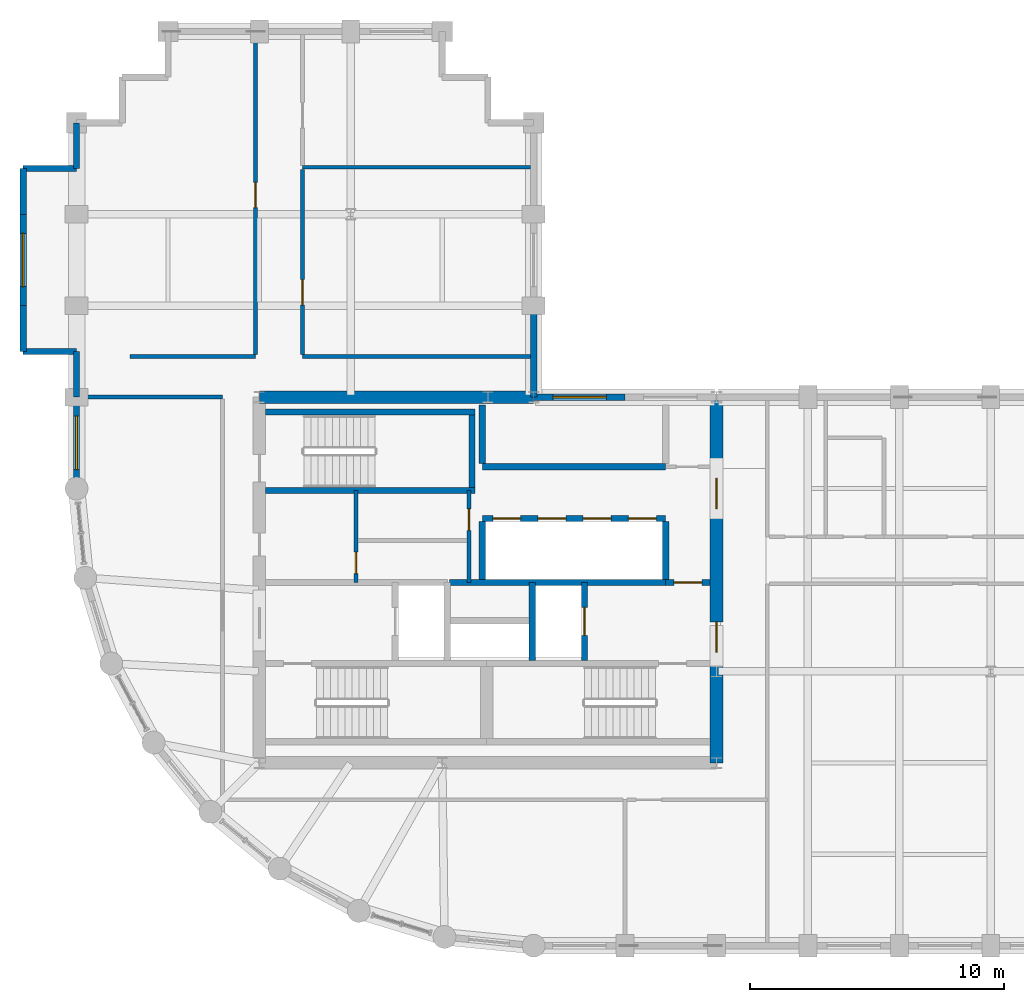
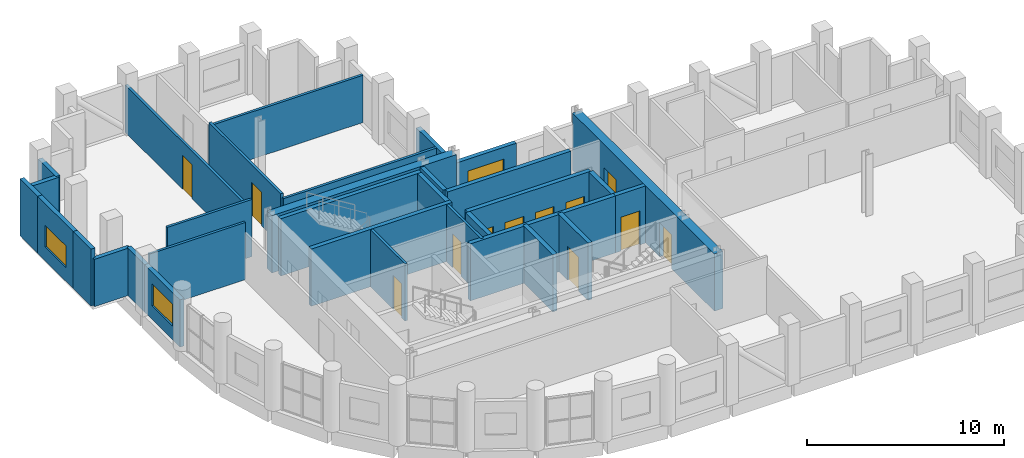
# One storey, part 9 of 12: 32 walls, 12 doors, 3 windows, 15 openings.
"""IFC4 building model written with IfcOpenShell, lengths in metres."""

from ifc_helpers import new_model, si_unit, direction, frame, frame_2d, origin, place, context, subcontext, project, spatial, rectangle, extrude, material, layer, layer_set, type_object, element, fill, save


model = new_model("IFC4")

# Units and contexts
model_context = context("Model", 3, precision=1e-05, world=origin(), true_north=direction((0.0, 1.0)))
body_context = subcontext(model_context, "Body", "Model", "MODEL_VIEW")
ifc_project = project(units=[si_unit("LENGTHUNIT", "METRE"), si_unit("AREAUNIT", "SQUARE_METRE"), si_unit("VOLUMEUNIT", "CUBIC_METRE"), si_unit("PLANEANGLEUNIT", "RADIAN"), si_unit("MASSUNIT", "GRAM", prefix="KILO")], contexts=[model_context])

# Site, building, storey
site_placement = place(None, origin())
site = spatial("IfcSite", under=ifc_project, at=site_placement, CompositionType="ELEMENT")
building_placement = place(site_placement, origin())
building = spatial("IfcBuilding", under=site, at=building_placement, Name="Solnavia Interchange Tower", CompositionType="ELEMENT")
storey_placement = place(building_placement, frame((0.0, 0.0, 193.800048828125)))
storey = spatial("IfcBuildingStorey", under=building, at=storey_placement, Name="L48", CompositionType="ELEMENT", Elevation=193.800048828125)

# Wall, opening, window
ifc_material_1 = material(Name="Concrete C40/50", Category="concrete")
ifc_layer_1 = layer(ifc_material_1, 0.25)
ifc_layer_set_1 = layer_set([ifc_layer_1], Name="Concrete C40/50")
wall_type_1 = type_object("IfcWallType", Name="Wall-ExtSpandrel-250", PredefinedType="STANDARD", material=ifc_layer_set_1)
wall_1_placement = place(storey_placement, frame((25.199951171875, 25.199951171875, 0.0), z_axis=(0.0, 0.0, 1.0), x_axis=(1.0, 0.0, 0.0)))
wall_1 = element("IfcWall", 1, at=wall_1_placement, inside=storey, type_object=wall_type_1, Name="EXW-L48-24 Exterior precast spandrel wall", PredefinedType="STANDARD", context=body_context, shape_type="SweptSolid", body=[
    extrude(rectangle(XDim=3.60009765625, YDim=0.25, at=frame_2d((1.800048828125, 0.0))), origin(), (0.0, 0.0, 1.0), 2.929931640625),
])
opening_1_placement = place(wall_1_placement, frame((0.76611328125, 0.0, 0.85009765625)))
opening_1 = element("IfcOpeningElement", 2, at=opening_1_placement, cuts=wall_1, Name="Opening WIN-01", PredefinedType="OPENING", context=body_context, shape_type="SweptSolid", body=[
    extrude(rectangle(XDim=2.10009765625, YDim=1.35009765625, at=frame_2d((1.050048828125, 0.675048828125))), frame((0.0, 0.135009765625, 0.0), z_axis=(0.0, -1.0, 0.0), x_axis=(1.0, 0.0, 0.0)), (0.0, 0.0, 1.0), 0.27001953125),
])
ifc_material_2 = material(Name="Thermal-Break Aluminium & Low-E Glass", Category="aluminium")
window_type = type_object("IfcWindowType", Name="Window-Ribbon-2100x1350", PartitioningType="SINGLE_PANEL", PredefinedType="WINDOW", material=ifc_material_2)
window_1_placement = place(opening_1_placement, origin())
window_1 = element("IfcWindow", 3, at=window_1_placement, inside=storey, type_object=window_type, Name="WIN-L48-24 Facade ribbon window", OverallHeight=1.35009765625, OverallWidth=2.10009765625, PartitioningType="SINGLE_PANEL", PredefinedType="WINDOW", context=body_context, shape_type="SweptSolid", body=[
    extrude(rectangle(XDim=2.10009765625, YDim=1.35009765625, at=frame_2d((1.050048828125, 0.675048828125))), frame((0.0, 0.030029296875, 0.0), z_axis=(0.0, -1.0, 0.0), x_axis=(1.0, 0.0, 0.0)), (0.0, 0.0, 1.0), 0.06005859375),
])
fill(opening_1, window_1)

# Walls
wall_2_placement = place(storey_placement, frame((25.199951171875, 25.199951171875, 0.0), z_axis=(0.0, 0.0, 1.0), x_axis=(0.0, 1.0, 0.0)))
element("IfcWall", 4, at=wall_2_placement, inside=storey, type_object=wall_type_1, Name="EXW-L48-25 Exterior precast spandrel wall", PredefinedType="STANDARD", context=body_context, shape_type="SweptSolid", body=[
    extrude(rectangle(XDim=3.60009765625, YDim=0.25, at=frame_2d((1.800048828125, 0.0))), origin(), (0.0, 0.0, 1.0), 2.929931640625),
])
wall_3_placement = place(storey_placement, frame((7.199951171875, 34.199951171875, 0.0), z_axis=(0.0, 0.0, 1.0), x_axis=(0.0, 1.0, 0.0)))
element("IfcWall", 5, at=wall_3_placement, inside=storey, type_object=wall_type_1, Name="EXW-L48-39 Exterior precast spandrel wall", PredefinedType="STANDARD", context=body_context, shape_type="SweptSolid", body=[
    extrude(rectangle(XDim=1.800048828125, YDim=0.25, at=frame_2d((0.89990234375, 0.0))), origin(), (0.0, 0.0, 1.0), 2.929931640625),
])
wall_4_placement = place(storey_placement, frame((5.10009765625, 34.199951171875, 0.0), z_axis=(0.0, 0.0, 1.0), x_axis=(1.0, 0.0, 0.0)))
element("IfcWall", 6, at=wall_4_placement, inside=storey, type_object=wall_type_1, Name="EXW-L48-40 Exterior precast spandrel wall", PredefinedType="STANDARD", context=body_context, shape_type="SweptSolid", body=[
    extrude(rectangle(XDim=2.099853515625, YDim=0.25, at=frame_2d((1.0498046875, 0.0))), origin(), (0.0, 0.0, 1.0), 2.929931640625),
])
wall_5_placement = place(storey_placement, frame((5.10009765625, 32.39990234375, 0.0), z_axis=(0.0, 0.0, 1.0), x_axis=(0.0, 1.0, 0.0)))
element("IfcWall", 7, at=wall_5_placement, inside=storey, type_object=wall_type_1, Name="EXW-L48-41 Exterior precast spandrel wall", PredefinedType="STANDARD", context=body_context, shape_type="SweptSolid", body=[
    extrude(rectangle(XDim=1.800048828125, YDim=0.25, at=frame_2d((0.89990234375, 0.0))), origin(), (0.0, 0.0, 1.0), 3.534912109375),
])

# Wall, opening, window
wall_6_placement = place(storey_placement, frame((5.10009765625, 28.800048828125, 0.0), z_axis=(0.0, 0.0, 1.0), x_axis=(0.0, 1.0, 0.0)))
wall_6 = element("IfcWall", 8, at=wall_6_placement, inside=storey, type_object=wall_type_1, Name="EXW-L48-42 Exterior precast spandrel wall", PredefinedType="STANDARD", context=body_context, shape_type="SweptSolid", body=[
    extrude(rectangle(XDim=3.599853515625, YDim=0.25, at=frame_2d((1.7998046875, 0.0))), origin(), (0.0, 0.0, 1.0), 3.534912109375),
])
opening_2_placement = place(wall_6_placement, frame((0.75, 0.0, 0.85009765625)))
opening_2 = element("IfcOpeningElement", 9, at=opening_2_placement, cuts=wall_6, Name="Opening WIN-01", PredefinedType="OPENING", context=body_context, shape_type="SweptSolid", body=[
    extrude(rectangle(XDim=2.10009765625, YDim=1.35009765625, at=frame_2d((1.050048828125, 0.675048828125))), frame((0.0, 0.135009765625, 0.0), z_axis=(0.0, -1.0, 0.0), x_axis=(1.0, 0.0, 0.0)), (0.0, 0.0, 1.0), 0.27001953125),
])
window_2_placement = place(opening_2_placement, origin())
window_2 = element("IfcWindow", 10, at=window_2_placement, inside=storey, type_object=window_type, Name="WIN-L48-42 Facade ribbon window", OverallHeight=1.35009765625, OverallWidth=2.10009765625, PartitioningType="SINGLE_PANEL", PredefinedType="WINDOW", context=body_context, shape_type="SweptSolid", body=[
    extrude(rectangle(XDim=2.10009765625, YDim=1.35009765625, at=frame_2d((1.050048828125, 0.675048828125))), frame((0.0, 0.030029296875, 0.0), z_axis=(0.0, -1.0, 0.0), x_axis=(1.0, 0.0, 0.0)), (0.0, 0.0, 1.0), 0.06005859375),
])
fill(opening_2, window_2)

# Walls
wall_7_placement = place(storey_placement, frame((5.10009765625, 27.0, 0.0), z_axis=(0.0, 0.0, 1.0), x_axis=(0.0, 1.0, 0.0)))
element("IfcWall", 11, at=wall_7_placement, inside=storey, type_object=wall_type_1, Name="EXW-L48-43 Exterior precast spandrel wall", PredefinedType="STANDARD", context=body_context, shape_type="SweptSolid", body=[
    extrude(rectangle(XDim=1.800048828125, YDim=0.25, at=frame_2d((0.89990234375, 0.0))), origin(), (0.0, 0.0, 1.0), 3.534912109375),
])
wall_8_placement = place(storey_placement, frame((5.10009765625, 27.0, 0.0), z_axis=(0.0, 0.0, 1.0), x_axis=(1.0, 0.0, 0.0)))
element("IfcWall", 12, at=wall_8_placement, inside=storey, type_object=wall_type_1, Name="EXW-L48-44 Exterior precast spandrel wall", PredefinedType="STANDARD", context=body_context, shape_type="SweptSolid", body=[
    extrude(rectangle(XDim=2.099853515625, YDim=0.25, at=frame_2d((1.0498046875, 0.0))), origin(), (0.0, 0.0, 1.0), 2.929931640625),
])
wall_9_placement = place(storey_placement, frame((7.199951171875, 25.199951171875, 0.0), z_axis=(0.0, 0.0, 1.0), x_axis=(0.0, 1.0, 0.0)))
element("IfcWall", 13, at=wall_9_placement, inside=storey, type_object=wall_type_1, Name="EXW-L48-45 Exterior precast spandrel wall", PredefinedType="STANDARD", context=body_context, shape_type="SweptSolid", body=[
    extrude(rectangle(XDim=1.800048828125, YDim=0.25, at=frame_2d((0.89990234375, 0.0))), origin(), (0.0, 0.0, 1.0), 2.929931640625),
])

# Wall, opening, window
wall_10_placement = place(storey_placement, frame((7.199951171875, 21.60009765625, 0.0), z_axis=(0.0, 0.0, 1.0), x_axis=(0.0, 1.0, 0.0)))
wall_10 = element("IfcWall", 14, at=wall_10_placement, inside=storey, type_object=wall_type_1, Name="EXW-L48-46 Exterior precast spandrel wall", PredefinedType="STANDARD", context=body_context, shape_type="SweptSolid", body=[
    extrude(rectangle(XDim=3.599853515625, YDim=0.25, at=frame_2d((1.7998046875, 0.0))), origin(), (0.0, 0.0, 1.0), 2.929931640625),
])
opening_3_placement = place(wall_10_placement, frame((0.75, 0.0, 0.85009765625)))
opening_3 = element("IfcOpeningElement", 15, at=opening_3_placement, cuts=wall_10, Name="Opening WIN-01", PredefinedType="OPENING", context=body_context, shape_type="SweptSolid", body=[
    extrude(rectangle(XDim=2.10009765625, YDim=1.35009765625, at=frame_2d((1.050048828125, 0.675048828125))), frame((0.0, 0.135009765625, 0.0), z_axis=(0.0, -1.0, 0.0), x_axis=(1.0, 0.0, 0.0)), (0.0, 0.0, 1.0), 0.27001953125),
])
window_3_placement = place(opening_3_placement, origin())
window_3 = element("IfcWindow", 16, at=window_3_placement, inside=storey, type_object=window_type, Name="WIN-L48-46 Facade ribbon window", OverallHeight=1.35009765625, OverallWidth=2.10009765625, PartitioningType="SINGLE_PANEL", PredefinedType="WINDOW", context=body_context, shape_type="SweptSolid", body=[
    extrude(rectangle(XDim=2.10009765625, YDim=1.35009765625, at=frame_2d((1.050048828125, 0.675048828125))), frame((0.0, 0.030029296875, 0.0), z_axis=(0.0, -1.0, 0.0), x_axis=(1.0, 0.0, 0.0)), (0.0, 0.0, 1.0), 0.06005859375),
])
fill(opening_3, window_3)

# Wall, opening, door
ifc_material_3 = material(Name="Gypsum Plasterboard & Steel Stud", Category="steel")
ifc_layer_2 = layer(ifc_material_3, 0.14990234375)
ifc_layer_set_2 = layer_set([ifc_layer_2], Name="Gypsum Plasterboard & Steel Stud")
wall_type_2 = type_object("IfcWallType", Name="Wall-Partition-150", PredefinedType="PARTITIONING", material=ifc_layer_set_2)
wall_11_placement = place(storey_placement, frame((22.64990234375, 17.89990234375, 0.0), z_axis=(0.0, 0.0, 1.0), x_axis=(0.0, 1.0, 0.0)))
wall_11 = element("IfcWall", 17, at=wall_11_placement, inside=storey, type_object=wall_type_2, Name="CSW-L48-E Core shaft wall", PredefinedType="PARTITIONING", context=body_context, shape_type="SweptSolid", body=[
    extrude(rectangle(XDim=3.625, YDim=0.14990234375, at=frame_2d((1.8125, 0.0))), origin(), (0.0, 0.0, 1.0), 3.534912109375),
])
opening_4_placement = place(wall_11_placement, frame((2.050048828125, 0.0, 0.0)))
opening_4 = element("IfcOpeningElement", 18, at=opening_4_placement, cuts=wall_11, Name="Opening DR-10", PredefinedType="OPENING", context=body_context, shape_type="SweptSolid", body=[
    extrude(rectangle(XDim=0.85009765625, YDim=2.10009765625, at=frame_2d((0.425048828125, 1.050048828125))), frame((0.0, 0.0849609375, 0.0), z_axis=(0.0, -1.0, 0.0), x_axis=(1.0, 0.0, 0.0)), (0.0, 0.0, 1.0), 0.169921875),
])
ifc_material_4 = material(Name="Moisture-Resistant Timber Door", Category="wood")
door_type_1 = type_object("IfcDoorType", Name="Door-Bathroom-850x2100", OperationType="SINGLE_SWING_RIGHT", PredefinedType="DOOR", material=ifc_material_4)
door_1_placement = place(opening_4_placement, origin())
door_1 = element("IfcDoor", 19, at=door_1_placement, inside=storey, type_object=door_type_1, Name="DR-L48-CS3 Core fire door", OperationType="SINGLE_SWING_LEFT", OverallHeight=2.10009765625, OverallWidth=0.85009765625, PredefinedType="DOOR", context=body_context, shape_type="SweptSolid", body=[
    extrude(rectangle(XDim=0.85009765625, YDim=2.10009765625, at=frame_2d((0.425048828125, 1.050048828125))), frame((0.0, 0.02490234375, 0.0), z_axis=(0.0, -1.0, 0.0), x_axis=(1.0, 0.0, 0.0)), (0.0, 0.0, 1.0), 0.050048828125),
])
fill(opening_4, door_1)

wall_12_placement = place(storey_placement, frame((18.199951171875, 17.89990234375, 0.0), z_axis=(0.0, 0.0, 1.0), x_axis=(0.0, 1.0, 0.0)))
wall_12 = element("IfcWall", 20, at=wall_12_placement, inside=storey, type_object=wall_type_2, Name="CSW-L48-M1 Core shaft wall", PredefinedType="PARTITIONING", context=body_context, shape_type="SweptSolid", body=[
    extrude(rectangle(XDim=3.625, YDim=0.14990234375, at=frame_2d((1.8125, 0.0))), origin(), (0.0, 0.0, 1.0), 3.534912109375),
])
opening_5_placement = place(wall_12_placement, frame((0.35009765625, 0.0, 0.0)))
opening_5 = element("IfcOpeningElement", 21, at=opening_5_placement, cuts=wall_12, Name="Opening DR-10", PredefinedType="OPENING", context=body_context, shape_type="SweptSolid", body=[
    extrude(rectangle(XDim=0.85009765625, YDim=2.10009765625, at=frame_2d((0.425048828125, 1.050048828125))), frame((0.0, 0.0849609375, 0.0), z_axis=(0.0, -1.0, 0.0), x_axis=(1.0, 0.0, 0.0)), (0.0, 0.0, 1.0), 0.169921875),
])
door_2_placement = place(opening_5_placement, origin())
door_2 = element("IfcDoor", 22, at=door_2_placement, inside=storey, type_object=door_type_1, Name="DR-L48-CS2 Core fire door", OperationType="SINGLE_SWING_LEFT", OverallHeight=2.10009765625, OverallWidth=0.85009765625, PredefinedType="DOOR", context=body_context, shape_type="SweptSolid", body=[
    extrude(rectangle(XDim=0.85009765625, YDim=2.10009765625, at=frame_2d((0.425048828125, 1.050048828125))), frame((0.0, 0.02490234375, 0.0), z_axis=(0.0, -1.0, 0.0), x_axis=(1.0, 0.0, 0.0)), (0.0, 0.0, 1.0), 0.050048828125),
])
fill(opening_5, door_2)

# Walls
wall_13_placement = place(storey_placement, frame((7.3291015625, 25.199951171875, 0.0), z_axis=(0.0, 0.0, 1.0), x_axis=(1.0, 0.0, 0.0)))
element("IfcWall", 23, at=wall_13_placement, inside=storey, type_object=wall_type_2, Name="PTW-L48-07 Interior partition wall", PredefinedType="PARTITIONING", context=body_context, shape_type="SweptSolid", body=[
    extrude(rectangle(XDim=5.620849609375, YDim=0.14990234375, at=frame_2d((2.810546875, 0.0))), origin(), (0.0, 0.0, 1.0), 3.534912109375),
])
wall_14_placement = place(storey_placement, frame((9.300048828125, 26.800048828125, 0.0), z_axis=(0.0, 0.0, 1.0), x_axis=(1.0, 0.0, 0.0)))
element("IfcWall", 24, at=wall_14_placement, inside=storey, type_object=wall_type_2, Name="PTW-L48-17 Interior partition wall", PredefinedType="PARTITIONING", context=body_context, shape_type="SweptSolid", body=[
    extrude(rectangle(XDim=4.949951171875, YDim=0.14990234375, at=frame_2d((2.47509765625, 0.0))), origin(), (0.0, 0.0, 1.0), 3.534912109375),
])

# Wall, opening, door
wall_15_placement = place(storey_placement, frame((14.25, 26.87890625, 0.0), z_axis=(0.0, 0.0, 1.0), x_axis=(0.0, 1.0, 0.0)))
wall_15 = element("IfcWall", 25, at=wall_15_placement, inside=storey, type_object=wall_type_2, Name="PTW-L48-18 Interior partition wall", PredefinedType="PARTITIONING", context=body_context, shape_type="SweptSolid", body=[
    extrude(rectangle(XDim=12.592041015625, YDim=0.14990234375, at=frame_2d((6.2958984375, 0.0))), origin(), (0.0, 0.0, 1.0), 2.929931640625),
])
opening_6_placement = place(wall_15_placement, frame((5.781005859375, 0.0, 0.0)))
opening_6 = element("IfcOpeningElement", 26, at=opening_6_placement, cuts=wall_15, Name="Opening DR-07", PredefinedType="OPENING", context=body_context, shape_type="SweptSolid", body=[
    extrude(rectangle(XDim=1.0, YDim=2.10009765625, at=frame_2d((0.5, 1.050048828125))), frame((0.0, 0.0849609375, 0.0), z_axis=(0.0, -1.0, 0.0), x_axis=(1.0, 0.0, 0.0)), (0.0, 0.0, 1.0), 0.169921875),
])
ifc_material_5 = material(Name="Timber & Acoustic Glazed Office Door", Category="wood")
door_type_2 = type_object("IfcDoorType", Name="Door-Office-1000x2100", OperationType="SINGLE_SWING_RIGHT", PredefinedType="DOOR", material=ifc_material_5)
door_3_placement = place(opening_6_placement, origin())
door_3 = element("IfcDoor", 27, at=door_3_placement, inside=storey, type_object=door_type_2, Name="DR-L48-08 Interior room door", OperationType="SINGLE_SWING_RIGHT", OverallHeight=2.10009765625, OverallWidth=1.0, PredefinedType="DOOR", context=body_context, shape_type="SweptSolid", body=[
    extrude(rectangle(XDim=1.0, YDim=2.10009765625, at=frame_2d((0.5, 1.050048828125))), frame((0.0, 0.02490234375, 0.0), z_axis=(0.0, -1.0, 0.0), x_axis=(1.0, 0.0, 0.0)), (0.0, 0.0, 1.0), 0.050048828125),
])
fill(opening_6, door_3)

# Walls
for number, where, z_axis, x_axis, name in (
    (28, (16.10009765625, 26.800048828125, 0.0), (0.0, 0.0, 1.0), (1.0, 0.0, 0.0), "PTW-L48-19 Interior partition wall"),
    (29, (16.10009765625, 34.25, 0.0), (0.0, 0.0, 1.0), (1.0, 0.0, 0.0), "PTW-L48-20 Interior partition wall"),
):
    element("IfcWall", number, at=place(storey_placement, frame(where, z_axis=z_axis, x_axis=x_axis)), inside=storey, type_object=wall_type_2, Name=name, PredefinedType="PARTITIONING", context=body_context, shape_type="SweptSolid", body=[
        extrude(rectangle(XDim=8.970947265625, YDim=0.14990234375, at=frame_2d((4.4853515625, 0.0))), origin(), (0.0, 0.0, 1.0), 2.929931640625),
    ])

# Wall, opening, door
wall_16_placement = place(storey_placement, frame((16.10009765625, 26.87890625, 0.0), z_axis=(0.0, 0.0, 1.0), x_axis=(0.0, 1.0, 0.0)))
wall_16 = element("IfcWall", 30, at=wall_16_placement, inside=storey, type_object=wall_type_2, Name="PTW-L48-21 Interior partition wall", PredefinedType="PARTITIONING", context=body_context, shape_type="SweptSolid", body=[
    extrude(rectangle(XDim=7.2919921875, YDim=0.14990234375, at=frame_2d((3.64599609375, 0.0))), origin(), (0.0, 0.0, 1.0), 3.169921875),
])
opening_7_placement = place(wall_16_placement, frame((1.951904296875, 0.0, 0.0)))
opening_7 = element("IfcOpeningElement", 31, at=opening_7_placement, cuts=wall_16, Name="Opening DR-07", PredefinedType="OPENING", context=body_context, shape_type="SweptSolid", body=[
    extrude(rectangle(XDim=1.0, YDim=2.10009765625, at=frame_2d((0.5, 1.050048828125))), frame((0.0, 0.0849609375, 0.0), z_axis=(0.0, -1.0, 0.0), x_axis=(1.0, 0.0, 0.0)), (0.0, 0.0, 1.0), 0.169921875),
])
door_4_placement = place(opening_7_placement, origin())
door_4 = element("IfcDoor", 32, at=door_4_placement, inside=storey, type_object=door_type_2, Name="DR-L48-09 Interior room door", OperationType="SINGLE_SWING_LEFT", OverallHeight=2.10009765625, OverallWidth=1.0, PredefinedType="DOOR", context=body_context, shape_type="SweptSolid", body=[
    extrude(rectangle(XDim=1.0, YDim=2.10009765625, at=frame_2d((0.5, 1.050048828125))), frame((0.0, 0.02490234375, 0.0), z_axis=(0.0, -1.0, 0.0), x_axis=(1.0, 0.0, 0.0)), (0.0, 0.0, 1.0), 0.050048828125),
])
fill(opening_7, door_4)

# Walls
ifc_layer_3 = layer(ifc_material_1, 0.25)
ifc_layer_set_3 = layer_set([ifc_layer_3], Name="Concrete C40/50")
wall_type_3 = type_object("IfcWallType", Name="Wall-ShaftCore-250", PredefinedType="SHEAR", material=ifc_layer_set_3)
for number, where, z_axis, x_axis, name in (
    (33, (14.64990234375, 21.52490234375, 0.0), (0.0, 0.0, 1.0), (1.0, 0.0, 0.0), "SHW-L48-ST3S Core shear wall"),
    (34, (14.64990234375, 24.614990234375, 0.0), (0.0, 0.0, 1.0), (1.0, 0.0, 0.0), "SHW-L48-ST3N Core shear wall"),
):
    element("IfcWall", number, at=place(storey_placement, frame(where, z_axis=z_axis, x_axis=x_axis)), inside=storey, type_object=wall_type_3, Name=name, PredefinedType="SHEAR", context=body_context, shape_type="SweptSolid", body=[
        extrude(rectangle(XDim=8.25, YDim=0.25, at=frame_2d((4.125, 0.0))), origin(), (0.0, 0.0, 1.0), 3.550048828125),
    ])
wall_17_placement = place(storey_placement, frame((22.77490234375, 21.64990234375, 0.0), z_axis=(0.0, 0.0, 1.0), x_axis=(0.0, 1.0, 0.0)))
element("IfcWall", 35, at=wall_17_placement, inside=storey, type_object=wall_type_3, Name="SHW-L48-ST3E Core shear wall", PredefinedType="SHEAR", context=body_context, shape_type="SweptSolid", body=[
    extrude(rectangle(XDim=2.840087890625, YDim=0.25, at=frame_2d((1.419921875, 0.0))), origin(), (0.0, 0.0, 1.0), 3.550048828125),
])
ifc_layer_4 = layer(ifc_material_1, 0.25)
ifc_layer_set_4 = layer_set([ifc_layer_4], Name="Concrete C40/50")
wall_type_4 = type_object("IfcWallType", Name="Wall-ShaftPart-250", PredefinedType="PARTITIONING", material=ifc_layer_set_4)
wall_18_placement = place(storey_placement, frame((21.8798828125, 17.89990234375, 0.0), z_axis=(0.0, 0.0, 1.0), x_axis=(1.0, 0.0, 0.0)))
element("IfcWall", 36, at=wall_18_placement, inside=storey, type_object=wall_type_4, Name="SHW-L48-FFLE-N1 Core shaft wall", PredefinedType="PARTITIONING", context=body_context, shape_type="SweptSolid", body=[
    extrude(rectangle(XDim=8.52001953125, YDim=0.25, at=frame_2d((4.260009765625, 0.0))), origin(), (0.0, 0.0, 1.0), 3.534912109375),
])

# Wall, opening, door
wall_19_placement = place(storey_placement, frame((30.39990234375, 17.89990234375, 0.0), z_axis=(0.0, 0.0, 1.0), x_axis=(1.0, 0.0, 0.0)))
wall_19 = element("IfcWall", 37, at=wall_19_placement, inside=storey, type_object=wall_type_4, Name="SHW-L48-FFLE-N2 Core shaft wall", PredefinedType="PARTITIONING", context=body_context, shape_type="SweptSolid", body=[
    extrude(rectangle(XDim=1.75, YDim=0.25, at=frame_2d((0.875, 0.0))), origin(), (0.0, 0.0, 1.0), 3.534912109375),
])
opening_8_placement = place(wall_19_placement, frame((0.320068359375, 0.0, 0.0)))
opening_8 = element("IfcOpeningElement", 38, at=opening_8_placement, cuts=wall_19, Name="Opening DR-01", PredefinedType="OPENING", context=body_context, shape_type="SweptSolid", body=[
    extrude(rectangle(XDim=1.10009765625, YDim=2.10009765625, at=frame_2d((0.550048828125, 1.050048828125))), frame((0.0, 0.135009765625, 0.0), z_axis=(0.0, -1.0, 0.0), x_axis=(1.0, 0.0, 0.0)), (0.0, 0.0, 1.0), 0.27001953125),
])
ifc_material_6 = material(Name="Steel Fire-Rated Leaf & Frame", Category="steel")
door_type_3 = type_object("IfcDoorType", Name="Door-StairFire-1100x2100", OperationType="SINGLE_SWING_LEFT", PredefinedType="DOOR", material=ifc_material_6)
door_5_placement = place(opening_8_placement, origin())
door_5 = element("IfcDoor", 39, at=door_5_placement, inside=storey, type_object=door_type_3, Name="DR-L48-LLC Core fire door", OperationType="SINGLE_SWING_LEFT", OverallHeight=2.10009765625, OverallWidth=1.10009765625, PredefinedType="DOOR", context=body_context, shape_type="SweptSolid", body=[
    extrude(rectangle(XDim=1.10009765625, YDim=2.10009765625, at=frame_2d((0.550048828125, 1.050048828125))), frame((0.0, 0.02490234375, 0.0), z_axis=(0.0, -1.0, 0.0), x_axis=(1.0, 0.0, 0.0)), (0.0, 0.0, 1.0), 0.050048828125),
])
fill(opening_8, door_5)

# Wall
wall_20_placement = place(storey_placement, frame((25.14990234375, 14.840087890625, 0.0), z_axis=(0.0, 0.0, 1.0), x_axis=(0.0, 1.0, 0.0)))
element("IfcWall", 40, at=wall_20_placement, inside=storey, type_object=wall_type_4, Name="SHW-L48-FFL2-W Core shaft wall", PredefinedType="PARTITIONING", context=body_context, shape_type="SweptSolid", body=[
    extrude(rectangle(XDim=3.059814453125, YDim=0.25, at=frame_2d((1.52978515625, 0.0))), origin(), (0.0, 0.0, 1.0), 3.534912109375),
])

# Wall, opening, door
wall_21_placement = place(storey_placement, frame((27.199951171875, 14.840087890625, 0.0), z_axis=(0.0, 0.0, 1.0), x_axis=(0.0, 1.0, 0.0)))
wall_21 = element("IfcWall", 41, at=wall_21_placement, inside=storey, type_object=wall_type_4, Name="SHW-L48-FFL2-E Core shaft wall", PredefinedType="PARTITIONING", context=body_context, shape_type="SweptSolid", body=[
    extrude(rectangle(XDim=3.059814453125, YDim=0.25, at=frame_2d((1.52978515625, 0.0))), origin(), (0.0, 0.0, 1.0), 3.534912109375),
])
opening_9_placement = place(wall_21_placement, frame((0.97998046875, 0.0, 0.0)))
opening_9 = element("IfcOpeningElement", 42, at=opening_9_placement, cuts=wall_21, Name="Opening LD-01", PredefinedType="OPENING", context=body_context, shape_type="SweptSolid", body=[
    extrude(rectangle(XDim=1.10009765625, YDim=2.10009765625, at=frame_2d((0.550048828125, 1.050048828125))), frame((0.0, 0.135009765625, 0.0), z_axis=(0.0, -1.0, 0.0), x_axis=(1.0, 0.0, 0.0)), (0.0, 0.0, 1.0), 0.27001953125),
])
ifc_material_7 = material(Name="Brushed Stainless Steel Sliding Door", Category="steel")
door_type_4 = type_object("IfcDoorType", Name="Door-LiftLanding-1100x2100", OperationType="SLIDING_TO_LEFT", PredefinedType="DOOR", material=ifc_material_7)
door_6_placement = place(opening_9_placement, origin())
door_6 = element("IfcDoor", 43, at=door_6_placement, inside=storey, type_object=door_type_4, Name="LD-L48-FFL2 Lift landing sliding door", OperationType="SLIDING_TO_LEFT", OverallHeight=2.10009765625, OverallWidth=1.10009765625, PredefinedType="DOOR", context=body_context, shape_type="SweptSolid", body=[
    extrude(rectangle(XDim=1.10009765625, YDim=2.10009765625, at=frame_2d((0.550048828125, 1.050048828125))), frame((0.0, 0.02490234375, 0.0), z_axis=(0.0, -1.0, 0.0), x_axis=(1.0, 0.0, 0.0)), (0.0, 0.0, 1.0), 0.050048828125),
])
fill(opening_9, door_6)

# Wall, openings, doors
wall_22_placement = place(storey_placement, frame((23.179931640625, 20.419921875, 0.0), z_axis=(0.0, 0.0, 1.0), x_axis=(1.0, 0.0, 0.0)))
wall_22 = element("IfcWall", 44, at=wall_22_placement, inside=storey, type_object=wall_type_4, Name="SHW-L48-B2N Core shaft wall", PredefinedType="PARTITIONING", context=body_context, shape_type="SweptSolid", body=[
    extrude(rectangle(XDim=7.219970703125, YDim=0.25, at=frame_2d((3.60986328125, 0.0))), origin(), (0.0, 0.0, 1.0), 3.534912109375),
])
opening_10_placement = place(wall_22_placement, frame((0.409912109375, 0.0, 0.0)))
opening_10 = element("IfcOpeningElement", 45, at=opening_10_placement, cuts=wall_22, Name="Opening LD-01", PredefinedType="OPENING", context=body_context, shape_type="SweptSolid", body=[
    extrude(rectangle(XDim=1.10009765625, YDim=2.10009765625, at=frame_2d((0.550048828125, 1.050048828125))), frame((0.0, 0.135009765625, 0.0), z_axis=(0.0, -1.0, 0.0), x_axis=(1.0, 0.0, 0.0)), (0.0, 0.0, 1.0), 0.27001953125),
])
opening_11_placement = place(wall_22_placement, frame((2.18994140625, 0.0, 0.0)))
opening_11 = element("IfcOpeningElement", 46, at=opening_11_placement, cuts=wall_22, Name="Opening LD-01", PredefinedType="OPENING", context=body_context, shape_type="SweptSolid", body=[
    extrude(rectangle(XDim=1.10009765625, YDim=2.10009765625, at=frame_2d((0.550048828125, 1.050048828125))), frame((0.0, 0.135009765625, 0.0), z_axis=(0.0, -1.0, 0.0), x_axis=(1.0, 0.0, 0.0)), (0.0, 0.0, 1.0), 0.27001953125),
])
opening_12_placement = place(wall_22_placement, frame((3.969970703125, 0.0, 0.0)))
opening_12 = element("IfcOpeningElement", 47, at=opening_12_placement, cuts=wall_22, Name="Opening LD-01", PredefinedType="OPENING", context=body_context, shape_type="SweptSolid", body=[
    extrude(rectangle(XDim=1.10009765625, YDim=2.10009765625, at=frame_2d((0.550048828125, 1.050048828125))), frame((0.0, 0.135009765625, 0.0), z_axis=(0.0, -1.0, 0.0), x_axis=(1.0, 0.0, 0.0)), (0.0, 0.0, 1.0), 0.27001953125),
])
opening_13_placement = place(wall_22_placement, frame((5.75, 0.0, 0.0)))
opening_13 = element("IfcOpeningElement", 48, at=opening_13_placement, cuts=wall_22, Name="Opening LD-01", PredefinedType="OPENING", context=body_context, shape_type="SweptSolid", body=[
    extrude(rectangle(XDim=1.10009765625, YDim=2.10009765625, at=frame_2d((0.550048828125, 1.050048828125))), frame((0.0, 0.135009765625, 0.0), z_axis=(0.0, -1.0, 0.0), x_axis=(1.0, 0.0, 0.0)), (0.0, 0.0, 1.0), 0.27001953125),
])
door_7_placement = place(opening_10_placement, origin())
door_7 = element("IfcDoor", 49, at=door_7_placement, inside=storey, type_object=door_type_4, Name="LD-L48-B2-1 Lift landing sliding door", OperationType="SLIDING_TO_LEFT", OverallHeight=2.10009765625, OverallWidth=1.10009765625, PredefinedType="DOOR", context=body_context, shape_type="SweptSolid", body=[
    extrude(rectangle(XDim=1.10009765625, YDim=2.10009765625, at=frame_2d((0.550048828125, 1.050048828125))), frame((0.0, 0.02490234375, 0.0), z_axis=(0.0, -1.0, 0.0), x_axis=(1.0, 0.0, 0.0)), (0.0, 0.0, 1.0), 0.050048828125),
])
fill(opening_10, door_7)
door_8_placement = place(opening_11_placement, origin())
door_8 = element("IfcDoor", 50, at=door_8_placement, inside=storey, type_object=door_type_4, Name="LD-L48-B2-2 Lift landing sliding door", OperationType="SLIDING_TO_LEFT", OverallHeight=2.10009765625, OverallWidth=1.10009765625, PredefinedType="DOOR", context=body_context, shape_type="SweptSolid", body=[
    extrude(rectangle(XDim=1.10009765625, YDim=2.10009765625, at=frame_2d((0.550048828125, 1.050048828125))), frame((0.0, 0.02490234375, 0.0), z_axis=(0.0, -1.0, 0.0), x_axis=(1.0, 0.0, 0.0)), (0.0, 0.0, 1.0), 0.050048828125),
])
fill(opening_11, door_8)
door_9_placement = place(opening_12_placement, origin())
door_9 = element("IfcDoor", 51, at=door_9_placement, inside=storey, type_object=door_type_4, Name="LD-L48-B2-3 Lift landing sliding door", OperationType="SLIDING_TO_LEFT", OverallHeight=2.10009765625, OverallWidth=1.10009765625, PredefinedType="DOOR", context=body_context, shape_type="SweptSolid", body=[
    extrude(rectangle(XDim=1.10009765625, YDim=2.10009765625, at=frame_2d((0.550048828125, 1.050048828125))), frame((0.0, 0.02490234375, 0.0), z_axis=(0.0, -1.0, 0.0), x_axis=(1.0, 0.0, 0.0)), (0.0, 0.0, 1.0), 0.050048828125),
])
fill(opening_12, door_9)
door_10_placement = place(opening_13_placement, origin())
door_10 = element("IfcDoor", 52, at=door_10_placement, inside=storey, type_object=door_type_4, Name="LD-L48-B2-4 Lift landing sliding door", OperationType="SLIDING_TO_LEFT", OverallHeight=2.10009765625, OverallWidth=1.10009765625, PredefinedType="DOOR", context=body_context, shape_type="SweptSolid", body=[
    extrude(rectangle(XDim=1.10009765625, YDim=2.10009765625, at=frame_2d((0.550048828125, 1.050048828125))), frame((0.0, 0.02490234375, 0.0), z_axis=(0.0, -1.0, 0.0), x_axis=(1.0, 0.0, 0.0)), (0.0, 0.0, 1.0), 0.050048828125),
])
fill(opening_13, door_10)

# Walls
for number, where, z_axis, x_axis, name in (
    (53, (23.179931640625, 18.02490234375, 0.0), (0.0, 0.0, 1.0), (0.0, 1.0, 0.0), "SHW-L48-B2W Core shaft wall"),
    (54, (30.39990234375, 18.02490234375, 0.0), (0.0, 0.0, 1.0), (0.0, 1.0, 0.0), "SHW-L48-B2E Core shaft wall"),
):
    element("IfcWall", number, at=place(storey_placement, frame(where, z_axis=z_axis, x_axis=x_axis)), inside=storey, type_object=wall_type_4, Name=name, PredefinedType="PARTITIONING", context=body_context, shape_type="SweptSolid", body=[
        extrude(rectangle(XDim=2.27001953125, YDim=0.25, at=frame_2d((1.135009765625, 0.0))), origin(), (0.0, 0.0, 1.0), 3.534912109375),
    ])
wall_23_placement = place(storey_placement, frame((23.179931640625, 22.4599609375, 0.0), z_axis=(0.0, 0.0, 1.0), x_axis=(1.0, 0.0, 0.0)))
element("IfcWall", 55, at=wall_23_placement, inside=storey, type_object=wall_type_4, Name="SHW-L48-B3S Core shaft wall", PredefinedType="PARTITIONING", context=body_context, shape_type="SweptSolid", body=[
    extrude(rectangle(XDim=7.219970703125, YDim=0.25, at=frame_2d((3.60986328125, 0.0))), origin(), (0.0, 0.0, 1.0), 3.534912109375),
])
wall_24_placement = place(storey_placement, frame((23.179931640625, 22.5849609375, 0.0), z_axis=(0.0, 0.0, 1.0), x_axis=(0.0, 1.0, 0.0)))
element("IfcWall", 56, at=wall_24_placement, inside=storey, type_object=wall_type_4, Name="SHW-L48-B3W Core shaft wall", PredefinedType="PARTITIONING", context=body_context, shape_type="SweptSolid", body=[
    extrude(rectangle(XDim=2.31494140625, YDim=0.25, at=frame_2d((1.157470703125, 0.0))), origin(), (0.0, 0.0, 1.0), 3.534912109375),
])
ifc_material_8 = material(Name="Concrete C60/75", Category="concrete")
ifc_layer_5 = layer(ifc_material_8, 0.5)
ifc_layer_set_5 = layer_set([ifc_layer_5], Name="Concrete C60/75")
wall_type_5 = type_object("IfcWallType", Name="Wall-ShearCore-500", PredefinedType="SHEAR", material=ifc_layer_set_5)
wall_25_placement = place(storey_placement, frame((14.39990234375, 25.199951171875, 0.0), z_axis=(0.0, 0.0, 1.0), x_axis=(1.0, 0.0, 0.0)))
element("IfcWall", 57, at=wall_25_placement, inside=storey, type_object=wall_type_5, Name="CRW-L48-N Core shear wall", PredefinedType="SHEAR", context=body_context, shape_type="SweptSolid", body=[
    extrude(rectangle(XDim=10.800048828125, YDim=0.5, at=frame_2d((5.39990234375, 0.0))), origin(), (0.0, 0.0, 1.0), 3.550048828125),
])

# Wall, openings, doors
wall_26_placement = place(storey_placement, frame((32.39990234375, 10.800048828125, 0.0), z_axis=(0.0, 0.0, 1.0), x_axis=(0.0, 1.0, 0.0)))
wall_26 = element("IfcWall", 58, at=wall_26_placement, inside=storey, type_object=wall_type_5, Name="CRW-L48-E Core shear wall", PredefinedType="SHEAR", context=body_context, shape_type="SweptSolid", body=[
    extrude(rectangle(XDim=14.39990234375, YDim=0.5, at=frame_2d((7.199951171875, 0.0))), origin(), (0.0, 0.0, 1.0), 3.550048828125),
])
opening_14_placement = place(wall_26_placement, frame((4.35009765625, 0.0, 0.0)))
opening_14 = element("IfcOpeningElement", 59, at=opening_14_placement, cuts=wall_26, Name="Opening DR-02", PredefinedType="OPENING", context=body_context, shape_type="SweptSolid", body=[
    extrude(rectangle(XDim=1.199951171875, YDim=2.10009765625, at=frame_2d((0.60009765625, 1.050048828125))), frame((0.0, 0.260009765625, 0.0), z_axis=(0.0, -1.0, 0.0), x_axis=(1.0, 0.0, 0.0)), (0.0, 0.0, 1.0), 0.52001953125),
])
opening_15_placement = place(wall_26_placement, frame((10.0, 0.0, 0.0)))
opening_15 = element("IfcOpeningElement", 60, at=opening_15_placement, cuts=wall_26, Name="Opening DR-02", PredefinedType="OPENING", context=body_context, shape_type="SweptSolid", body=[
    extrude(rectangle(XDim=1.199951171875, YDim=2.10009765625, at=frame_2d((0.60009765625, 1.050048828125))), frame((0.0, 0.260009765625, 0.0), z_axis=(0.0, -1.0, 0.0), x_axis=(1.0, 0.0, 0.0)), (0.0, 0.0, 1.0), 0.52001953125),
])
ifc_material_9 = material(Name="Steel Fire-Rated Vision-Panel Door", Category="steel")
door_type_5 = type_object("IfcDoorType", Name="Door-LobbyFire-1200x2100", OperationType="SINGLE_SWING_RIGHT", PredefinedType="DOOR", material=ifc_material_9)
door_11_placement = place(opening_14_placement, origin())
door_11 = element("IfcDoor", 61, at=door_11_placement, inside=storey, type_object=door_type_5, Name="DR-L48-FFL2E Core fire door", OperationType="SINGLE_SWING_LEFT", OverallHeight=2.10009765625, OverallWidth=1.199951171875, PredefinedType="DOOR", context=body_context, shape_type="SweptSolid", body=[
    extrude(rectangle(XDim=1.199951171875, YDim=2.10009765625, at=frame_2d((0.60009765625, 1.050048828125))), frame((0.0, 0.02490234375, 0.0), z_axis=(0.0, -1.0, 0.0), x_axis=(1.0, 0.0, 0.0)), (0.0, 0.0, 1.0), 0.050048828125),
])
fill(opening_14, door_11)
door_12_placement = place(opening_15_placement, origin())
door_12 = element("IfcDoor", 62, at=door_12_placement, inside=storey, type_object=door_type_5, Name="DR-L48-LLE Core fire door", OperationType="SINGLE_SWING_RIGHT", OverallHeight=2.10009765625, OverallWidth=1.199951171875, PredefinedType="DOOR", context=body_context, shape_type="SweptSolid", body=[
    extrude(rectangle(XDim=1.199951171875, YDim=2.10009765625, at=frame_2d((0.60009765625, 1.050048828125))), frame((0.0, 0.02490234375, 0.0), z_axis=(0.0, -1.0, 0.0), x_axis=(1.0, 0.0, 0.0)), (0.0, 0.0, 1.0), 0.050048828125),
])
fill(opening_15, door_12)

save(model, "model.ifc")
